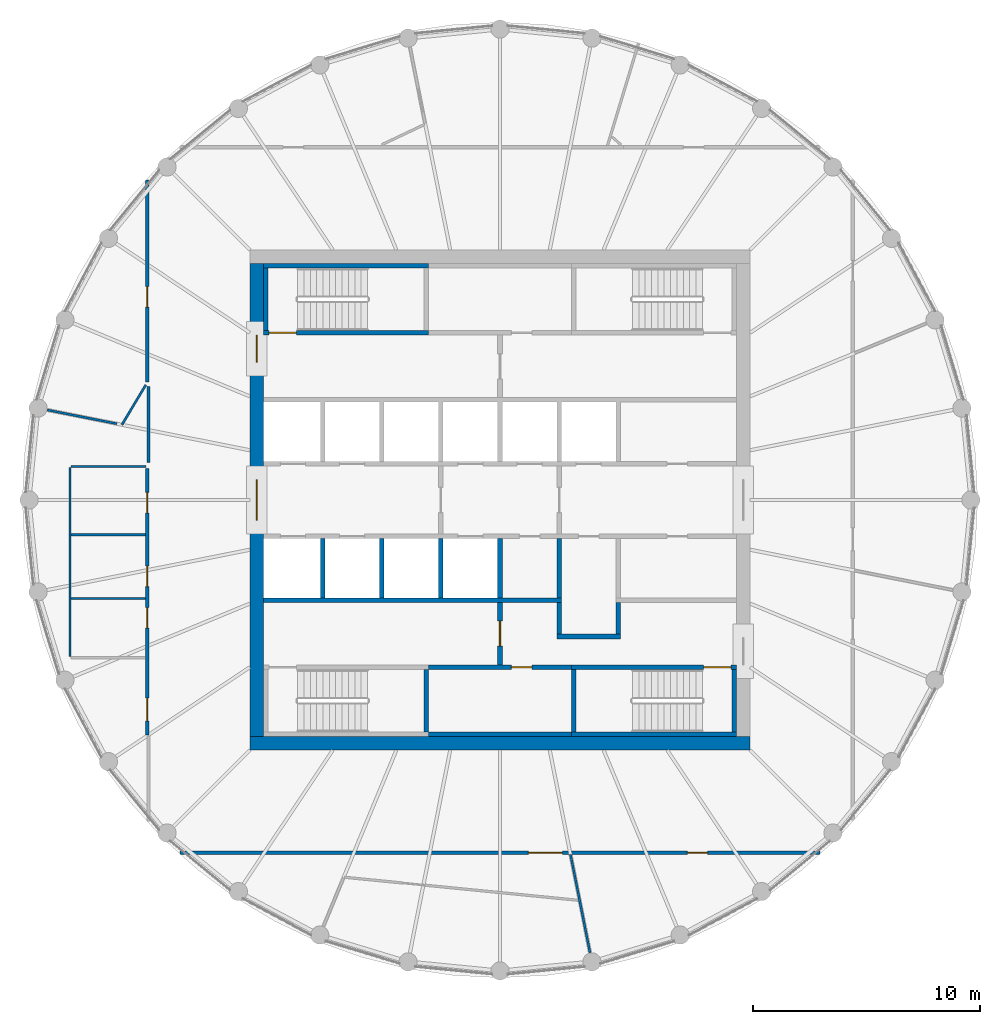
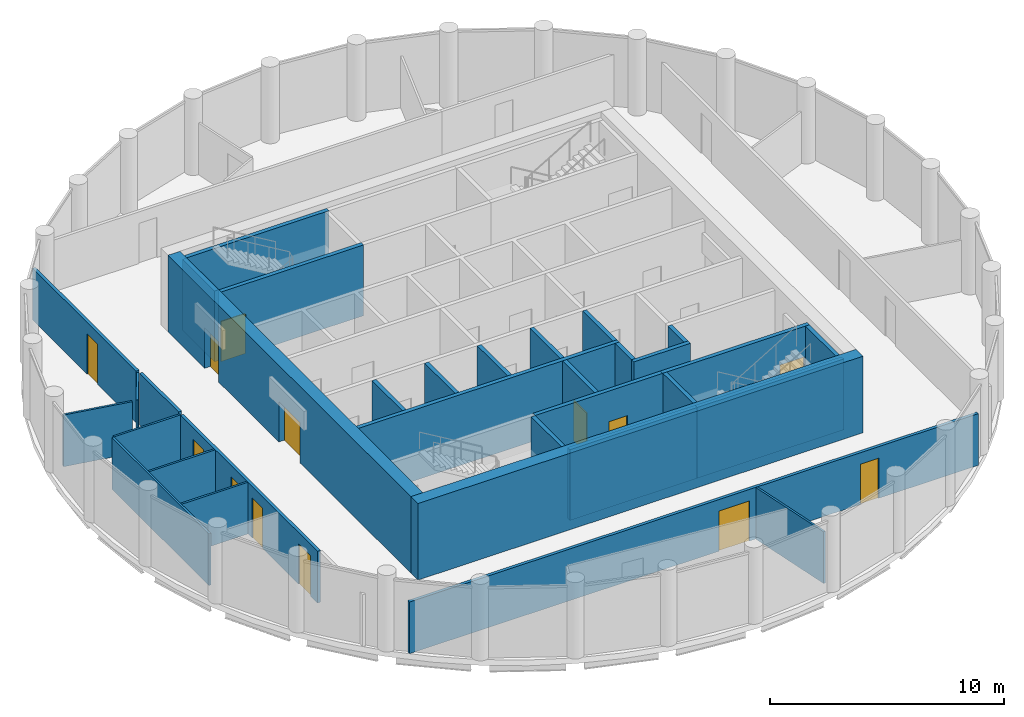
# One storey, part 4 of 7: 33 walls, 13 doors, 13 openings.
"""IFC4 building model written with IfcOpenShell, lengths in metres."""

from ifc_helpers import new_model, si_unit, direction, frame, frame_2d, origin, place, context, subcontext, project, spatial, polyline, rectangle, outline, extrude, material, layer, layer_set, type_object, element, fill, save


model = new_model("IFC4")

# Units and contexts
model_context = context("Model", 3, precision=1e-05, world=origin(), true_north=direction((0.0, 1.0)))
body_context = subcontext(model_context, "Body", "Model", "MODEL_VIEW")
ifc_project = project(units=[si_unit("LENGTHUNIT", "METRE"), si_unit("AREAUNIT", "SQUARE_METRE"), si_unit("VOLUMEUNIT", "CUBIC_METRE"), si_unit("PLANEANGLEUNIT", "RADIAN"), si_unit("MASSUNIT", "GRAM", prefix="KILO")], contexts=[model_context])

# Site, building, storey
site_placement = place(None, origin())
site = spatial("IfcSite", under=ifc_project, at=site_placement, CompositionType="ELEMENT")
building_placement = place(site_placement, origin())
building = spatial("IfcBuilding", under=site, at=building_placement, Name="Corvane Civic Tower", CompositionType="ELEMENT")
storey_placement = place(building_placement, frame((0.0, 0.0, 328.5)))
storey = spatial("IfcBuildingStorey", under=building, at=storey_placement, Name="L78", CompositionType="ELEMENT", Elevation=328.5)

# Wall
ifc_material_1 = material(Name="Concrete C40/50", Category="concrete")
ifc_layer_1 = layer(ifc_material_1, 0.60009765625)
ifc_layer_set_1 = layer_set([ifc_layer_1], Name="Concrete C40/50")
wall_type_1 = type_object("IfcWallType", Name="CORE WALL 600 C40/50", PredefinedType="SHEAR", material=ifc_layer_set_1)
wall_1_placement = place(storey_placement, frame((-11.0, -10.699951171875, 0.0), z_axis=(0.0, 0.0, 1.0), x_axis=(1.0, 0.0, 0.0)))
element("IfcWall", 1, at=wall_1_placement, inside=storey, type_object=wall_type_1, Name="W-L78-core-S", PredefinedType="SHEAR", context=body_context, shape_type="SweptSolid", body=[
    extrude(rectangle(XDim=22.0, YDim=0.60009765625, at=frame_2d((11.0, 0.0))), origin(), (0.0, 0.0, 1.0), 4.0),
])

# Wall, openings, doors
wall_2_placement = place(storey_placement, frame((-10.699951171875, -10.39990234375, 0.0), z_axis=(0.0, 0.0, 1.0), x_axis=(0.0, 1.0, 0.0)))
wall_2 = element("IfcWall", 2, at=wall_2_placement, inside=storey, type_object=wall_type_1, Name="W-L78-core-W", PredefinedType="SHEAR", context=body_context, shape_type="SweptSolid", body=[
    extrude(rectangle(XDim=20.7998046875, YDim=0.60009765625, at=frame_2d((10.39990234375, 0.0))), origin(), (0.0, 0.0, 1.0), 4.0),
])
opening_1_placement = place(wall_2_placement, frame((9.5, 0.0, 0.0)))
opening_1 = element("IfcOpeningElement", 3, at=opening_1_placement, cuts=wall_2, Name="Opening L78.C15", PredefinedType="OPENING", context=body_context, shape_type="SweptSolid", body=[
    extrude(rectangle(XDim=1.800048828125, YDim=2.10009765625, at=frame_2d((0.89990234375, 1.050048828125))), frame((0.0, 0.31005859375, 0.0), z_axis=(0.0, -1.0, 0.0), x_axis=(1.0, 0.0, 0.0)), (0.0, 0.0, 1.0), 0.6201171875),
])
opening_2_placement = place(wall_2_placement, frame((16.449951171875, 0.0, 0.0)))
opening_2 = element("IfcOpeningElement", 4, at=opening_2_placement, cuts=wall_2, Name="Opening L78.C17", PredefinedType="OPENING", context=body_context, shape_type="SweptSolid", body=[
    extrude(rectangle(XDim=1.199951171875, YDim=2.10009765625, at=frame_2d((0.60009765625, 1.050048828125))), frame((0.0, 0.31005859375, 0.0), z_axis=(0.0, -1.0, 0.0), x_axis=(1.0, 0.0, 0.0)), (0.0, 0.0, 1.0), 0.6201171875),
])
ifc_material_2 = material(Name="Steel fire door leaf", Category="steel")
door_type_1 = type_object("IfcDoorType", Name="CR-DOOR-CORE-1800", OperationType="DOUBLE_DOOR_SINGLE_SWING", PredefinedType="DOOR", material=ifc_material_2)
door_1_placement = place(opening_1_placement, origin())
door_1 = element("IfcDoor", 5, at=door_1_placement, inside=storey, type_object=door_type_1, Name="L78 door", OperationType="DOUBLE_DOOR_SINGLE_SWING", OverallHeight=2.10009765625, OverallWidth=1.800048828125, PredefinedType="DOOR", context=body_context, shape_type="SweptSolid", body=[
    extrude(rectangle(XDim=1.800048828125, YDim=2.10009765625, at=frame_2d((0.89990234375, 1.050048828125))), frame((0.0, 0.02490234375, 0.0), z_axis=(0.0, -1.0, 0.0), x_axis=(1.0, 0.0, 0.0)), (0.0, 0.0, 1.0), 0.050048828125),
])
fill(opening_1, door_1)
door_2_placement = place(opening_2_placement, origin())
door_2 = element("IfcDoor", 6, at=door_2_placement, inside=storey, type_object=door_type_1, Name="L78 door", OperationType="DOUBLE_DOOR_SINGLE_SWING", OverallHeight=2.10009765625, OverallWidth=1.199951171875, PredefinedType="DOOR", context=body_context, shape_type="SweptSolid", body=[
    extrude(rectangle(XDim=1.199951171875, YDim=2.10009765625, at=frame_2d((0.60009765625, 1.050048828125))), frame((0.0, 0.02490234375, 0.0), z_axis=(0.0, -1.0, 0.0), x_axis=(1.0, 0.0, 0.0)), (0.0, 0.0, 1.0), 0.050048828125),
])
fill(opening_2, door_2)

# Wall, opening, door
ifc_material_3 = material(Name="Concrete C30/37", Category="concrete")
ifc_layer_2 = layer(ifc_material_3, 0.199951171875)
ifc_layer_set_2 = layer_set([ifc_layer_2], Name="Concrete C30/37")
wall_type_2 = type_object("IfcWallType", Name="CR-WALL-200", PredefinedType="PARTITIONING", material=ifc_layer_set_2)
wall_3_placement = place(storey_placement, frame((-3.14990234375, -7.35009765625, 0.0), z_axis=(0.0, 0.0, 1.0), x_axis=(1.0, 0.0, 0.0)))
wall_3 = element("IfcWall", 7, at=wall_3_placement, inside=storey, type_object=wall_type_2, Name="L78 partition wall", PredefinedType="PARTITIONING", context=body_context, shape_type="SweptSolid", body=[
    extrude(rectangle(XDim=6.2998046875, YDim=0.199951171875, at=frame_2d((3.14990234375, 0.0))), origin(), (0.0, 0.0, 1.0), 3.699951171875),
])
opening_3_placement = place(wall_3_placement, frame((3.64990234375, 0.0, 0.0)))
opening_3 = element("IfcOpeningElement", 8, at=opening_3_placement, cuts=wall_3, Name="Opening L78.C06", PredefinedType="OPENING", context=body_context, shape_type="SweptSolid", body=[
    extrude(rectangle(XDim=0.89990234375, YDim=2.10009765625, at=frame_2d((0.449951171875, 1.050048828125))), frame((0.0, 0.10986328125, 0.0), z_axis=(0.0, -1.0, 0.0), x_axis=(1.0, 0.0, 0.0)), (0.0, 0.0, 1.0), 0.219970703125),
])
ifc_material_4 = material(Name="Steel fire door leaf", Category="steel")
door_type_2 = type_object("IfcDoorType", Name="CR-DOOR-900", OperationType="SINGLE_SWING_LEFT", PredefinedType="DOOR", material=ifc_material_4)
door_3_placement = place(opening_3_placement, origin())
door_3 = element("IfcDoor", 9, at=door_3_placement, inside=storey, type_object=door_type_2, Name="L78 door", OperationType="SINGLE_SWING_LEFT", OverallHeight=2.10009765625, OverallWidth=0.89990234375, PredefinedType="DOOR", context=body_context, shape_type="SweptSolid", body=[
    extrude(rectangle(XDim=0.89990234375, YDim=2.10009765625, at=frame_2d((0.449951171875, 1.050048828125))), frame((0.0, 0.02490234375, 0.0), z_axis=(0.0, -1.0, 0.0), x_axis=(1.0, 0.0, 0.0)), (0.0, 0.0, 1.0), 0.050048828125),
])
fill(opening_3, door_3)

wall_4_placement = place(storey_placement, frame((0.0, -7.25, 0.0), z_axis=(0.0, 0.0, 1.0), x_axis=(0.0, 1.0, 0.0)))
wall_4 = element("IfcWall", 10, at=wall_4_placement, inside=storey, type_object=wall_type_2, Name="L78 core partition wall", PredefinedType="PARTITIONING", context=body_context, shape_type="SweptSolid", body=[
    extrude(rectangle(XDim=2.75, YDim=0.199951171875, at=frame_2d((1.375, 0.0))), origin(), (0.0, 0.0, 1.0), 3.699951171875),
])
opening_4_placement = place(wall_4_placement, frame((0.824951171875, 0.0, 0.0)))
opening_4 = element("IfcOpeningElement", 11, at=opening_4_placement, cuts=wall_4, Name="Opening L78.C14", PredefinedType="OPENING", context=body_context, shape_type="SweptSolid", body=[
    extrude(rectangle(XDim=1.10009765625, YDim=2.10009765625, at=frame_2d((0.550048828125, 1.050048828125))), frame((0.0, 0.10986328125, 0.0), z_axis=(0.0, -1.0, 0.0), x_axis=(1.0, 0.0, 0.0)), (0.0, 0.0, 1.0), 0.219970703125),
])
ifc_material_5 = material(Name="Steel fire door leaf", Category="steel")
door_type_3 = type_object("IfcDoorType", Name="CR-DOOR-FFL-1100", OperationType="SINGLE_SWING_LEFT", PredefinedType="DOOR", material=ifc_material_5)
door_4_placement = place(opening_4_placement, origin())
door_4 = element("IfcDoor", 12, at=door_4_placement, inside=storey, type_object=door_type_3, Name="L78 lobby door", OperationType="SINGLE_SWING_LEFT", OverallHeight=2.10009765625, OverallWidth=1.10009765625, PredefinedType="DOOR", context=body_context, shape_type="SweptSolid", body=[
    extrude(rectangle(XDim=1.10009765625, YDim=2.10009765625, at=frame_2d((0.550048828125, 1.050048828125))), frame((0.0, 0.02490234375, 0.0), z_axis=(0.0, -1.0, 0.0), x_axis=(1.0, 0.0, 0.0)), (0.0, 0.0, 1.0), 0.050048828125),
])
fill(opening_4, door_4)

# Walls
wall_5_placement = place(storey_placement, origin())
element("IfcWall", 13, at=wall_5_placement, inside=storey, type_object=wall_type_2, Name="L78 core partition wall", PredefinedType="PARTITIONING", context=body_context, shape_type="SweptSolid", body=[
    extrude(outline(polyline([(2.699951171875, -4.300048828125), (2.699951171875, -4.5), (-10.39990234375, -4.5), (-10.39990234375, -4.300048828125), (2.699951171875, -4.300048828125)])), origin(), (0.0, 0.0, 1.0), 3.699951171875),
])
wall_6_placement = place(storey_placement, origin())
element("IfcWall", 14, at=wall_6_placement, inside=storey, type_object=wall_type_2, Name="L78 core partition wall", PredefinedType="PARTITIONING", context=body_context, shape_type="SweptSolid", body=[
    extrude(outline(polyline([(5.300048828125, -6.10009765625), (2.5, -6.10009765625), (2.5, -5.89990234375), (5.300048828125, -5.89990234375), (5.300048828125, -6.10009765625)])), origin(), (0.0, 0.0, 1.0), 3.699951171875),
])
wall_7_placement = place(storey_placement, origin())
element("IfcWall", 15, at=wall_7_placement, inside=storey, type_object=wall_type_2, Name="L78 core partition wall", PredefinedType="PARTITIONING", context=body_context, shape_type="SweptSolid", body=[
    extrude(outline(polyline([(-2.5, -1.699951171875), (-2.5, -4.2998046875), (-2.699951171875, -4.2998046875), (-2.699951171875, -1.699951171875), (-2.5, -1.699951171875)])), origin(), (0.0, 0.0, 1.0), 3.699951171875),
])
wall_8_placement = place(storey_placement, origin())
element("IfcWall", 16, at=wall_8_placement, inside=storey, type_object=wall_type_2, Name="L78 core partition wall", PredefinedType="PARTITIONING", context=body_context, shape_type="SweptSolid", body=[
    extrude(outline(polyline([(2.699951171875, -1.699951171875), (2.699951171875, -4.2998046875), (2.5, -4.2998046875), (2.5, -1.699951171875), (2.699951171875, -1.699951171875)])), origin(), (0.0, 0.0, 1.0), 3.699951171875),
])
wall_9_placement = place(storey_placement, origin())
element("IfcWall", 17, at=wall_9_placement, inside=storey, type_object=wall_type_2, Name="L78 core partition wall", PredefinedType="PARTITIONING", context=body_context, shape_type="SweptSolid", body=[
    extrude(outline(polyline([(0.10009765625, -1.699951171875), (0.10009765625, -4.2998046875), (-0.10009765625, -4.2998046875), (-0.10009765625, -1.699951171875), (0.10009765625, -1.699951171875)])), origin(), (0.0, 0.0, 1.0), 3.699951171875),
])
wall_10_placement = place(storey_placement, origin())
element("IfcWall", 18, at=wall_10_placement, inside=storey, type_object=wall_type_2, Name="L78 core partition wall", PredefinedType="PARTITIONING", context=body_context, shape_type="SweptSolid", body=[
    extrude(outline(polyline([(-7.699951171875, -1.699951171875), (-7.699951171875, -4.2998046875), (-7.89990234375, -4.2998046875), (-7.89990234375, -1.699951171875), (-7.699951171875, -1.699951171875)])), origin(), (0.0, 0.0, 1.0), 3.699951171875),
])
wall_11_placement = place(storey_placement, origin())
element("IfcWall", 19, at=wall_11_placement, inside=storey, type_object=wall_type_2, Name="L78 core partition wall", PredefinedType="PARTITIONING", context=body_context, shape_type="SweptSolid", body=[
    extrude(outline(polyline([(-5.10009765625, -1.699951171875), (-5.10009765625, -4.2998046875), (-5.300048828125, -4.2998046875), (-5.300048828125, -1.699951171875), (-5.10009765625, -1.699951171875)])), origin(), (0.0, 0.0, 1.0), 3.699951171875),
])
wall_12_placement = place(storey_placement, origin())
element("IfcWall", 20, at=wall_12_placement, inside=storey, type_object=wall_type_2, Name="L78 core partition wall", PredefinedType="PARTITIONING", context=body_context, shape_type="SweptSolid", body=[
    extrude(outline(polyline([(2.699951171875, -5.89990234375), (2.5, -5.89990234375), (2.5, -4.5), (2.699951171875, -4.5), (2.699951171875, -5.89990234375)])), origin(), (0.0, 0.0, 1.0), 3.699951171875),
])
wall_13_placement = place(storey_placement, origin())
element("IfcWall", 21, at=wall_13_placement, inside=storey, type_object=wall_type_2, Name="L78 core partition wall", PredefinedType="PARTITIONING", context=body_context, shape_type="SweptSolid", body=[
    extrude(outline(polyline([(5.300048828125, -5.89990234375), (5.10009765625, -5.89990234375), (5.10009765625, -4.5), (5.300048828125, -4.5), (5.300048828125, -5.89990234375)])), origin(), (0.0, 0.0, 1.0), 3.699951171875),
])
wall_14_placement = place(storey_placement, origin())
element("IfcWall", 22, at=wall_14_placement, inside=storey, type_object=wall_type_2, Name="L78 core partition wall", PredefinedType="PARTITIONING", context=body_context, shape_type="SweptSolid", body=[
    extrude(outline(polyline([(3.14990234375, -10.199951171875), (3.14990234375, -10.39990234375), (-3.14990234375, -10.39990234375), (-3.14990234375, -10.199951171875), (3.14990234375, -10.199951171875)])), origin(), (0.0, 0.0, 1.0), 3.699951171875),
])
ifc_material_6 = material(Name="Plasterboard")
ifc_layer_3 = layer(ifc_material_6, 0.10009765625)
ifc_layer_set_3 = layer_set([ifc_layer_3], Name="Plasterboard")
wall_type_3 = type_object("IfcWallType", Name="Partition 100 plasterboard on studs", PredefinedType="PARTITIONING", material=ifc_layer_set_3)
wall_15_placement = place(storey_placement, frame((3.10009765625, -15.584716796875, 0.0), z_axis=(0.0, 0.0, 1.0), x_axis=(0.195091656081, -0.98078501504, 0.0)))
element("IfcWall", 23, at=wall_15_placement, inside=storey, type_object=wall_type_3, Name="Partition L78.001", PredefinedType="PARTITIONING", context=body_context, shape_type="SweptSolid", body=[
    extrude(rectangle(XDim=4.39990234375, YDim=0.10009765625, at=frame_2d((2.199951171875, 0.0))), origin(), (0.0, 0.0, 1.0), 2.699951171875),
])
wall_16_placement = place(storey_placement, frame((-18.89990234375, -6.880615234375, 0.0), z_axis=(0.0, 0.0, 1.0), x_axis=(0.0, 1.0, 0.0)))
element("IfcWall", 24, at=wall_16_placement, inside=storey, type_object=wall_type_3, Name="Partition L78.009", PredefinedType="PARTITIONING", context=body_context, shape_type="SweptSolid", body=[
    extrude(rectangle(XDim=8.2998046875, YDim=0.10009765625, at=frame_2d((4.14990234375, 0.0))), origin(), (0.0, 0.0, 1.0), 2.699951171875),
])
for number, where, z_axis, x_axis, name in (
    (25, (-18.85009765625, -4.330810546875, 0.0), (0.0, 0.0, 1.0), (1.0, 0.0, 0.0), "Partition L78.010"),
    (26, (-18.85009765625, -1.53076171875, 0.0), (0.0, 0.0, 1.0), (1.0, 0.0, 0.0), "Partition L78.012"),
):
    element("IfcWall", number, at=place(storey_placement, frame(where, z_axis=z_axis, x_axis=x_axis)), inside=storey, type_object=wall_type_3, Name=name, PredefinedType="PARTITIONING", context=body_context, shape_type="SweptSolid", body=[
        extrude(rectangle(XDim=3.275146484375, YDim=0.10009765625, at=frame_2d((1.6376953125, 0.0))), origin(), (0.0, 0.0, 1.0), 2.699951171875),
    ])
wall_17_placement = place(storey_placement, frame((-18.85009765625, 1.46923828125, 0.0), z_axis=(0.0, 0.0, 1.0), x_axis=(1.0, 0.0, 0.0)))
element("IfcWall", 27, at=wall_17_placement, inside=storey, type_object=wall_type_3, Name="Partition L78.013", PredefinedType="PARTITIONING", context=body_context, shape_type="SweptSolid", body=[
    extrude(rectangle(XDim=3.300048828125, YDim=0.10009765625, at=frame_2d((1.64990234375, 0.0))), origin(), (0.0, 0.0, 1.0), 2.699951171875),
])
wall_18_placement = place(storey_placement, frame((-16.619873046875, 3.305908203125, 0.0), z_axis=(0.0, 0.0, 1.0), x_axis=(0.514162314358, 0.857692902206, 0.0)))
element("IfcWall", 28, at=wall_18_placement, inside=storey, type_object=wall_type_3, Name="Partition L78.015", PredefinedType="PARTITIONING", context=body_context, shape_type="SweptSolid", body=[
    extrude(rectangle(XDim=2.046142578125, YDim=0.10009765625, at=frame_2d((1.02294921875, 0.0))), origin(), (0.0, 0.0, 1.0), 2.699951171875),
])
wall_19_placement = place(storey_placement, frame((-19.900146484375, 3.95849609375, 0.0), z_axis=(0.0, 0.0, 1.0), x_axis=(0.980782153645, -0.195106040635, 0.0)))
element("IfcWall", 29, at=wall_19_placement, inside=storey, type_object=wall_type_3, Name="Partition L78.016", PredefinedType="PARTITIONING", context=body_context, shape_type="SweptSolid", body=[
    extrude(rectangle(XDim=3.114501953125, YDim=0.10009765625, at=frame_2d((1.55712890625, 0.0))), origin(), (0.0, 0.0, 1.0), 2.699951171875),
])

# Wall, opening, door
ifc_material_7 = material(Name="Concrete C50/60", Category="concrete")
ifc_layer_4 = layer(ifc_material_7, 0.199951171875)
ifc_layer_set_4 = layer_set([ifc_layer_4], Name="Concrete C50/60")
wall_type_4 = type_object("IfcWallType", Name="ST-WALL-200", PredefinedType="SHEAR", material=ifc_layer_set_4)
wall_20_placement = place(storey_placement, frame((3.14990234375, -7.35009765625, 0.0), z_axis=(0.0, 0.0, 1.0), x_axis=(1.0, 0.0, 0.0)))
wall_20 = element("IfcWall", 30, at=wall_20_placement, inside=storey, type_object=wall_type_4, Name="L78 stair enclosure wall", PredefinedType="SHEAR", context=body_context, shape_type="SweptSolid", body=[
    extrude(rectangle(XDim=7.25, YDim=0.199951171875, at=frame_2d((3.625, 0.0))), origin(), (0.0, 0.0, 1.0), 3.699951171875),
])
opening_5_placement = place(wall_20_placement, frame((5.800048828125, 0.0, 0.0)))
opening_5 = element("IfcOpeningElement", 31, at=opening_5_placement, cuts=wall_20, Name="Opening L78.C09", PredefinedType="OPENING", context=body_context, shape_type="SweptSolid", body=[
    extrude(rectangle(XDim=1.199951171875, YDim=2.10009765625, at=frame_2d((0.60009765625, 1.050048828125))), frame((0.0, 0.10986328125, 0.0), z_axis=(0.0, -1.0, 0.0), x_axis=(1.0, 0.0, 0.0)), (0.0, 0.0, 1.0), 0.219970703125),
])
ifc_material_8 = material(Name="Steel fire door leaf", Category="steel")
door_type_4 = type_object("IfcDoorType", Name="ST-DOOR-1200", OperationType="SINGLE_SWING_RIGHT", PredefinedType="DOOR", material=ifc_material_8)
door_5_placement = place(opening_5_placement, origin())
door_5 = element("IfcDoor", 32, at=door_5_placement, inside=storey, type_object=door_type_4, Name="L78 stair door", OperationType="SINGLE_SWING_RIGHT", OverallHeight=2.10009765625, OverallWidth=1.199951171875, PredefinedType="DOOR", context=body_context, shape_type="SweptSolid", body=[
    extrude(rectangle(XDim=1.199951171875, YDim=2.10009765625, at=frame_2d((0.60009765625, 1.050048828125))), frame((0.0, 0.02490234375, 0.0), z_axis=(0.0, -1.0, 0.0), x_axis=(1.0, 0.0, 0.0)), (0.0, 0.0, 1.0), 0.050048828125),
])
fill(opening_5, door_5)

wall_21_placement = place(storey_placement, frame((-10.39990234375, 7.35009765625, 0.0), z_axis=(0.0, 0.0, 1.0), x_axis=(1.0, 0.0, 0.0)))
wall_21 = element("IfcWall", 33, at=wall_21_placement, inside=storey, type_object=wall_type_4, Name="L78 stair enclosure wall", PredefinedType="SHEAR", context=body_context, shape_type="SweptSolid", body=[
    extrude(rectangle(XDim=7.25, YDim=0.199951171875, at=frame_2d((3.625, 0.0))), origin(), (0.0, 0.0, 1.0), 3.699951171875),
])
opening_6_placement = place(wall_21_placement, frame((0.25, 0.0, 0.0)))
opening_6 = element("IfcOpeningElement", 34, at=opening_6_placement, cuts=wall_21, Name="Opening L78.C08", PredefinedType="OPENING", context=body_context, shape_type="SweptSolid", body=[
    extrude(rectangle(XDim=1.199951171875, YDim=2.10009765625, at=frame_2d((0.60009765625, 1.050048828125))), frame((0.0, 0.10986328125, 0.0), z_axis=(0.0, -1.0, 0.0), x_axis=(1.0, 0.0, 0.0)), (0.0, 0.0, 1.0), 0.219970703125),
])
door_6_placement = place(opening_6_placement, origin())
door_6 = element("IfcDoor", 35, at=door_6_placement, inside=storey, type_object=door_type_4, Name="L78 stair door", OperationType="SINGLE_SWING_RIGHT", OverallHeight=2.10009765625, OverallWidth=1.199951171875, PredefinedType="DOOR", context=body_context, shape_type="SweptSolid", body=[
    extrude(rectangle(XDim=1.199951171875, YDim=2.10009765625, at=frame_2d((0.60009765625, 1.050048828125))), frame((0.0, 0.02490234375, 0.0), z_axis=(0.0, -1.0, 0.0), x_axis=(1.0, 0.0, 0.0)), (0.0, 0.0, 1.0), 0.050048828125),
])
fill(opening_6, door_6)

# Walls
wall_22_placement = place(storey_placement, origin())
element("IfcWall", 36, at=wall_22_placement, inside=storey, type_object=wall_type_4, Name="L78 stair enclosure wall", PredefinedType="SHEAR", context=body_context, shape_type="SweptSolid", body=[
    extrude(outline(polyline([(-3.14990234375, 10.199951171875), (-10.39990234375, 10.199951171875), (-10.39990234375, 10.39990234375), (-3.14990234375, 10.39990234375), (-3.14990234375, 10.199951171875)])), origin(), (0.0, 0.0, 1.0), 3.699951171875),
])
wall_23_placement = place(storey_placement, origin())
element("IfcWall", 37, at=wall_23_placement, inside=storey, type_object=wall_type_4, Name="L78 stair enclosure wall", PredefinedType="SHEAR", context=body_context, shape_type="SweptSolid", body=[
    extrude(outline(polyline([(10.39990234375, -10.39990234375), (3.14990234375, -10.39990234375), (3.14990234375, -10.199951171875), (10.39990234375, -10.199951171875), (10.39990234375, -10.39990234375)])), origin(), (0.0, 0.0, 1.0), 3.699951171875),
])
wall_24_placement = place(storey_placement, origin())
element("IfcWall", 38, at=wall_24_placement, inside=storey, type_object=wall_type_4, Name="L78 stair enclosure wall", PredefinedType="SHEAR", context=body_context, shape_type="SweptSolid", body=[
    extrude(outline(polyline([(-3.14990234375, -7.449951171875), (-3.14990234375, -10.199951171875), (-3.35009765625, -10.199951171875), (-3.35009765625, -7.449951171875), (-3.14990234375, -7.449951171875)])), origin(), (0.0, 0.0, 1.0), 3.699951171875),
])
wall_25_placement = place(storey_placement, origin())
element("IfcWall", 39, at=wall_25_placement, inside=storey, type_object=wall_type_4, Name="L78 stair enclosure wall", PredefinedType="SHEAR", context=body_context, shape_type="SweptSolid", body=[
    extrude(outline(polyline([(3.35009765625, -7.449951171875), (3.35009765625, -10.199951171875), (3.14990234375, -10.199951171875), (3.14990234375, -7.449951171875), (3.35009765625, -7.449951171875)])), origin(), (0.0, 0.0, 1.0), 3.699951171875),
])
wall_26_placement = place(storey_placement, origin())
element("IfcWall", 40, at=wall_26_placement, inside=storey, type_object=wall_type_4, Name="L78 stair enclosure wall", PredefinedType="SHEAR", context=body_context, shape_type="SweptSolid", body=[
    extrude(outline(polyline([(-10.199951171875, 7.449951171875), (-10.39990234375, 7.449951171875), (-10.39990234375, 10.199951171875), (-10.199951171875, 10.199951171875), (-10.199951171875, 7.449951171875)])), origin(), (0.0, 0.0, 1.0), 3.699951171875),
])
wall_27_placement = place(storey_placement, origin())
element("IfcWall", 41, at=wall_27_placement, inside=storey, type_object=wall_type_4, Name="L78 stair enclosure wall", PredefinedType="SHEAR", context=body_context, shape_type="SweptSolid", body=[
    extrude(outline(polyline([(10.39990234375, -7.449951171875), (10.39990234375, -10.199951171875), (10.199951171875, -10.199951171875), (10.199951171875, -7.449951171875), (10.39990234375, -7.449951171875)])), origin(), (0.0, 0.0, 1.0), 3.699951171875),
])

# Wall, openings, doors
ifc_material_9 = material(Name="Plasterboard")
ifc_layer_5 = layer(ifc_material_9, 0.14990234375)
ifc_layer_set_5 = layer_set([ifc_layer_5], Name="Plasterboard")
wall_type_5 = type_object("IfcWallType", Name="Tenancy wall 150 EI 60", PredefinedType="PARTITIONING", material=ifc_layer_set_5)
wall_28_placement = place(storey_placement, frame((-14.05712890625, -15.5, 0.0), z_axis=(0.0, 0.0, 1.0), x_axis=(1.0, 0.0, 0.0)))
wall_28 = element("IfcWall", 42, at=wall_28_placement, inside=storey, type_object=wall_type_5, Name="Partition L78.004", PredefinedType="PARTITIONING", context=body_context, shape_type="SweptSolid", body=[
    extrude(rectangle(XDim=28.1142578125, YDim=0.14990234375, at=frame_2d((14.05712890625, 0.0))), origin(), (0.0, 0.0, 1.0), 2.699951171875),
])
opening_7_placement = place(wall_28_placement, frame((22.289794921875, 0.0, 0.0)))
opening_7 = element("IfcOpeningElement", 43, at=opening_7_placement, cuts=wall_28, Name="Opening L78.008", PredefinedType="OPENING", context=body_context, shape_type="SweptSolid", body=[
    extrude(rectangle(XDim=0.89990234375, YDim=2.10009765625, at=frame_2d((0.449951171875, 1.050048828125))), frame((0.0, 0.0849609375, 0.0), z_axis=(0.0, -1.0, 0.0), x_axis=(1.0, 0.0, 0.0)), (0.0, 0.0, 1.0), 0.169921875),
])
opening_8_placement = place(wall_28_placement, frame((15.3046875, 0.0, 0.0)))
opening_8 = element("IfcOpeningElement", 44, at=opening_8_placement, cuts=wall_28, Name="Opening L78.010", PredefinedType="OPENING", context=body_context, shape_type="SweptSolid", body=[
    extrude(rectangle(XDim=1.5, YDim=2.10009765625, at=frame_2d((0.75, 1.050048828125))), frame((0.0, 0.0849609375, 0.0), z_axis=(0.0, -1.0, 0.0), x_axis=(1.0, 0.0, 0.0)), (0.0, 0.0, 1.0), 0.169921875),
])
ifc_material_10 = material(Name="Steel and timber", Category="steel")
door_type_5 = type_object("IfcDoorType", Name="Fire door FD30S 900", OperationType="NOTDEFINED", PredefinedType="DOOR", material=ifc_material_10)
door_7_placement = place(opening_7_placement, frame((0.89990234375, 0.0, 0.0), z_axis=(0.0, 0.0, 1.0), x_axis=(-1.0, 0.0, 0.0)))
door_7 = element("IfcDoor", 45, at=door_7_placement, inside=storey, type_object=door_type_5, Name="Door L78.008", OperationType="SINGLE_SWING_RIGHT", OverallHeight=2.10009765625, OverallWidth=0.89990234375, PredefinedType="DOOR", context=body_context, shape_type="SweptSolid", body=[
    extrude(rectangle(XDim=0.89990234375, YDim=2.10009765625, at=frame_2d((0.449951171875, 1.050048828125))), frame((0.0, 0.02490234375, 0.0), z_axis=(0.0, -1.0, 0.0), x_axis=(1.0, 0.0, 0.0)), (0.0, 0.0, 1.0), 0.050048828125),
])
fill(opening_7, door_7)
ifc_material_11 = material(Name="Steel and timber", Category="steel")
door_type_6 = type_object("IfcDoorType", Name="Fire door FD60 double 1500", OperationType="NOTDEFINED", PredefinedType="DOOR", material=ifc_material_11)
door_8_placement = place(opening_8_placement, frame((1.5, 0.0, 0.0), z_axis=(0.0, 0.0, 1.0), x_axis=(-1.0, 0.0, 0.0)))
door_8 = element("IfcDoor", 46, at=door_8_placement, inside=storey, type_object=door_type_6, Name="Door L78.010", OperationType="DOUBLE_DOOR_SINGLE_SWING", OverallHeight=2.10009765625, OverallWidth=1.5, PredefinedType="DOOR", context=body_context, shape_type="SweptSolid", body=[
    extrude(rectangle(XDim=1.5, YDim=2.10009765625, at=frame_2d((0.75, 1.050048828125))), frame((0.0, 0.02490234375, 0.0), z_axis=(0.0, -1.0, 0.0), x_axis=(1.0, 0.0, 0.0)), (0.0, 0.0, 1.0), 0.050048828125),
])
fill(opening_8, door_8)

wall_29_placement = place(storey_placement, frame((-15.5, -10.330810546875, 0.0), z_axis=(0.0, 0.0, 1.0), x_axis=(0.0, 1.0, 0.0)))
wall_29 = element("IfcWall", 47, at=wall_29_placement, inside=storey, type_object=wall_type_5, Name="Partition L78.007", PredefinedType="PARTITIONING", context=body_context, shape_type="SweptSolid", body=[
    extrude(rectangle(XDim=11.72509765625, YDim=0.14990234375, at=frame_2d((5.862548828125, 0.0))), origin(), (0.0, 0.0, 1.0), 2.699951171875),
])
opening_9_placement = place(wall_29_placement, frame((0.62158203125, 0.0, 0.0)))
opening_9 = element("IfcOpeningElement", 48, at=opening_9_placement, cuts=wall_29, Name="Opening L78.011", PredefinedType="OPENING", context=body_context, shape_type="SweptSolid", body=[
    extrude(rectangle(XDim=1.0, YDim=2.10009765625, at=frame_2d((0.5, 1.050048828125))), frame((0.0, 0.0849609375, 0.0), z_axis=(0.0, -1.0, 0.0), x_axis=(1.0, 0.0, 0.0)), (0.0, 0.0, 1.0), 0.169921875),
])
opening_10_placement = place(wall_29_placement, frame((9.7666015625, 0.0, 0.0)))
opening_10 = element("IfcOpeningElement", 49, at=opening_10_placement, cuts=wall_29, Name="Opening L78.012", PredefinedType="OPENING", context=body_context, shape_type="SweptSolid", body=[
    extrude(rectangle(XDim=0.89990234375, YDim=2.10009765625, at=frame_2d((0.449951171875, 1.050048828125))), frame((0.0, 0.0849609375, 0.0), z_axis=(0.0, -1.0, 0.0), x_axis=(1.0, 0.0, 0.0)), (0.0, 0.0, 1.0), 0.169921875),
])
opening_11_placement = place(wall_29_placement, frame((6.519775390625, 0.0, 0.0)))
opening_11 = element("IfcOpeningElement", 50, at=opening_11_placement, cuts=wall_29, Name="Opening L78.013", PredefinedType="OPENING", context=body_context, shape_type="SweptSolid", body=[
    extrude(rectangle(XDim=0.89990234375, YDim=2.10009765625, at=frame_2d((0.449951171875, 1.050048828125))), frame((0.0, 0.0849609375, 0.0), z_axis=(0.0, -1.0, 0.0), x_axis=(1.0, 0.0, 0.0)), (0.0, 0.0, 1.0), 0.169921875),
])
opening_12_placement = place(wall_29_placement, frame((4.701416015625, 0.0, 0.0)))
opening_12 = element("IfcOpeningElement", 51, at=opening_12_placement, cuts=wall_29, Name="Opening L78.014", PredefinedType="OPENING", context=body_context, shape_type="SweptSolid", body=[
    extrude(rectangle(XDim=0.89990234375, YDim=2.10009765625, at=frame_2d((0.449951171875, 1.050048828125))), frame((0.0, 0.0849609375, 0.0), z_axis=(0.0, -1.0, 0.0), x_axis=(1.0, 0.0, 0.0)), (0.0, 0.0, 1.0), 0.169921875),
])
ifc_material_12 = material(Name="Steel and timber", Category="steel")
door_type_7 = type_object("IfcDoorType", Name="Fire door FD30S 1000", OperationType="NOTDEFINED", PredefinedType="DOOR", material=ifc_material_12)
door_9_placement = place(opening_9_placement, origin())
door_9 = element("IfcDoor", 52, at=door_9_placement, inside=storey, type_object=door_type_7, Name="Door L78.011", OperationType="SINGLE_SWING_RIGHT", OverallHeight=2.10009765625, OverallWidth=1.0, PredefinedType="DOOR", context=body_context, shape_type="SweptSolid", body=[
    extrude(rectangle(XDim=1.0, YDim=2.10009765625, at=frame_2d((0.5, 1.050048828125))), frame((0.0, 0.02490234375, 0.0), z_axis=(0.0, -1.0, 0.0), x_axis=(1.0, 0.0, 0.0)), (0.0, 0.0, 1.0), 0.050048828125),
])
fill(opening_9, door_9)
door_10_placement = place(opening_10_placement, origin())
door_10 = element("IfcDoor", 53, at=door_10_placement, inside=storey, type_object=door_type_5, Name="Door L78.012", OperationType="SINGLE_SWING_LEFT", OverallHeight=2.10009765625, OverallWidth=0.89990234375, PredefinedType="DOOR", context=body_context, shape_type="SweptSolid", body=[
    extrude(rectangle(XDim=0.89990234375, YDim=2.10009765625, at=frame_2d((0.449951171875, 1.050048828125))), frame((0.0, 0.02490234375, 0.0), z_axis=(0.0, -1.0, 0.0), x_axis=(1.0, 0.0, 0.0)), (0.0, 0.0, 1.0), 0.050048828125),
])
fill(opening_10, door_10)
door_11_placement = place(opening_11_placement, origin())
door_11 = element("IfcDoor", 54, at=door_11_placement, inside=storey, type_object=door_type_5, Name="Door L78.013", OperationType="SINGLE_SWING_LEFT", OverallHeight=2.10009765625, OverallWidth=0.89990234375, PredefinedType="DOOR", context=body_context, shape_type="SweptSolid", body=[
    extrude(rectangle(XDim=0.89990234375, YDim=2.10009765625, at=frame_2d((0.449951171875, 1.050048828125))), frame((0.0, 0.02490234375, 0.0), z_axis=(0.0, -1.0, 0.0), x_axis=(1.0, 0.0, 0.0)), (0.0, 0.0, 1.0), 0.050048828125),
])
fill(opening_11, door_11)
door_12_placement = place(opening_12_placement, origin())
door_12 = element("IfcDoor", 55, at=door_12_placement, inside=storey, type_object=door_type_5, Name="Door L78.014", OperationType="SINGLE_SWING_RIGHT", OverallHeight=2.10009765625, OverallWidth=0.89990234375, PredefinedType="DOOR", context=body_context, shape_type="SweptSolid", body=[
    extrude(rectangle(XDim=0.89990234375, YDim=2.10009765625, at=frame_2d((0.449951171875, 1.050048828125))), frame((0.0, 0.02490234375, 0.0), z_axis=(0.0, -1.0, 0.0), x_axis=(1.0, 0.0, 0.0)), (0.0, 0.0, 1.0), 0.050048828125),
])
fill(opening_12, door_12)

# Wall
wall_30_placement = place(storey_placement, frame((-15.449951171875, 1.646728515625, 0.0), z_axis=(0.0, 0.0, 1.0), x_axis=(0.0, 1.0, 0.0)))
element("IfcWall", 56, at=wall_30_placement, inside=storey, type_object=wall_type_5, Name="Partition L78.014", PredefinedType="PARTITIONING", context=body_context, shape_type="SweptSolid", body=[
    extrude(rectangle(XDim=3.33984375, YDim=0.14990234375, at=frame_2d((1.669921875, 0.0))), origin(), (0.0, 0.0, 1.0), 2.699951171875),
])

# Wall, opening, door
wall_31_placement = place(storey_placement, frame((-15.5, 5.19482421875, 0.0), z_axis=(0.0, 0.0, 1.0), x_axis=(0.0, 1.0, 0.0)))
wall_31 = element("IfcWall", 57, at=wall_31_placement, inside=storey, type_object=wall_type_5, Name="Partition L78.017", PredefinedType="PARTITIONING", context=body_context, shape_type="SweptSolid", body=[
    extrude(rectangle(XDim=8.8623046875, YDim=0.14990234375, at=frame_2d((4.43115234375, 0.0))), origin(), (0.0, 0.0, 1.0), 2.699951171875),
])
opening_13_placement = place(wall_31_placement, frame((3.286376953125, 0.0, 0.0)))
opening_13 = element("IfcOpeningElement", 58, at=opening_13_placement, cuts=wall_31, Name="Opening L78.001", PredefinedType="OPENING", context=body_context, shape_type="SweptSolid", body=[
    extrude(rectangle(XDim=0.89990234375, YDim=2.10009765625, at=frame_2d((0.449951171875, 1.050048828125))), frame((0.0, 0.0849609375, 0.0), z_axis=(0.0, -1.0, 0.0), x_axis=(1.0, 0.0, 0.0)), (0.0, 0.0, 1.0), 0.169921875),
])
door_13_placement = place(opening_13_placement, origin())
door_13 = element("IfcDoor", 59, at=door_13_placement, inside=storey, type_object=door_type_5, Name="Door L78.001", OperationType="SINGLE_SWING_LEFT", OverallHeight=2.10009765625, OverallWidth=0.89990234375, PredefinedType="DOOR", context=body_context, shape_type="SweptSolid", body=[
    extrude(rectangle(XDim=0.89990234375, YDim=2.10009765625, at=frame_2d((0.449951171875, 1.050048828125))), frame((0.0, 0.02490234375, 0.0), z_axis=(0.0, -1.0, 0.0), x_axis=(1.0, 0.0, 0.0)), (0.0, 0.0, 1.0), 0.050048828125),
])
fill(opening_13, door_13)

save(model, "model.ifc")
